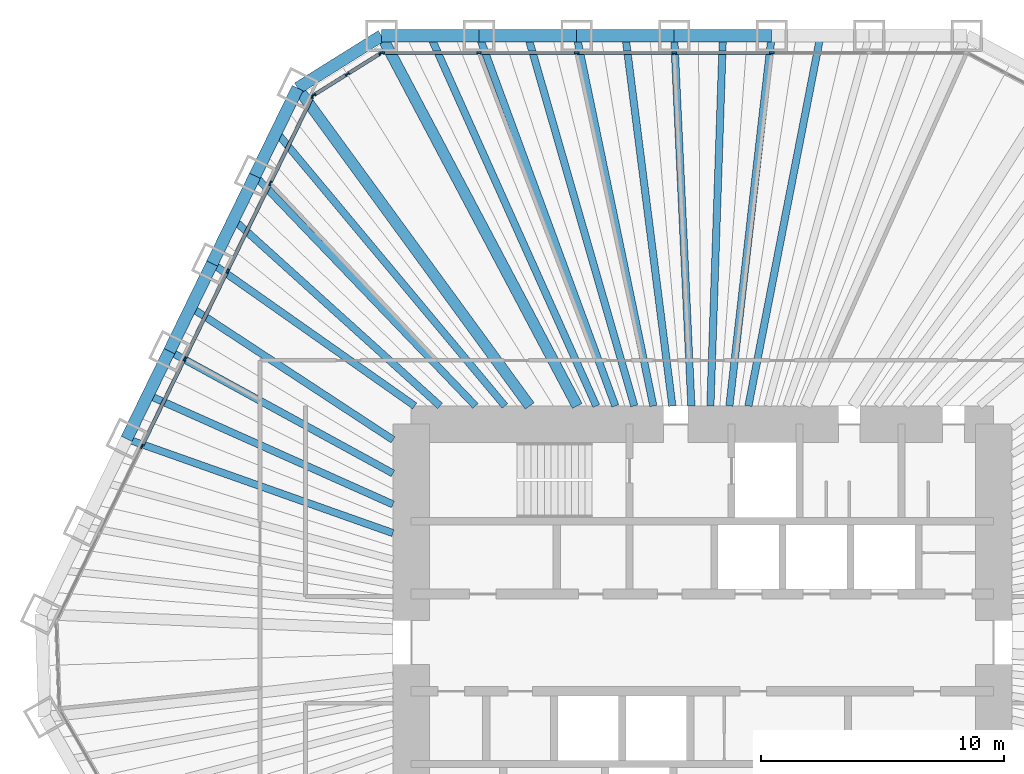
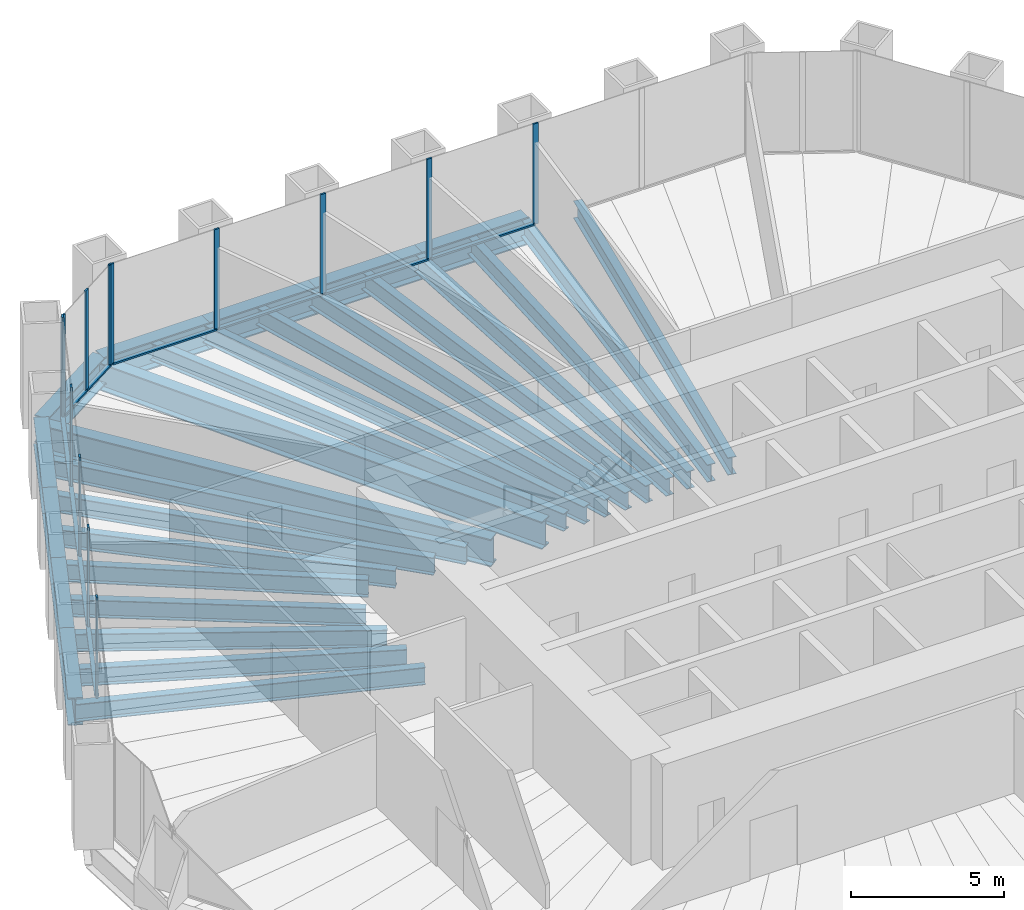
# One storey, part 6 of 13: 28 beams, 23 members, 3 elements without a shape of their own.
"""IFC4 building model written with IfcOpenShell, lengths in metres."""

from ifc_helpers import new_model, si_unit, direction, frame, origin, origin_2d, place, context, subcontext, project, spatial, rectangle, i_section, extrude, material, material_profile, profile_set, type_object, element, aggregate, save


model = new_model("IFC4")

# Units and contexts
model_context = context("Model", 3, precision=1e-05, world=origin(), true_north=direction((0.0, 1.0)))
body_context = subcontext(model_context, "Body", "Model", "MODEL_VIEW")
ifc_project = project(units=[si_unit("LENGTHUNIT", "METRE"), si_unit("AREAUNIT", "SQUARE_METRE"), si_unit("VOLUMEUNIT", "CUBIC_METRE"), si_unit("PLANEANGLEUNIT", "RADIAN"), si_unit("MASSUNIT", "GRAM", prefix="KILO")], contexts=[model_context])

# Site, building, storey
site_placement = place(None, origin())
site = spatial("IfcSite", under=ifc_project, at=site_placement, CompositionType="ELEMENT")
building_placement = place(site_placement, origin())
building = spatial("IfcBuilding", under=site, at=building_placement, Name="Qingtian Harvest Tower", CompositionType="ELEMENT")
storey_placement = place(building_placement, frame((0.0, 0.0, 136.60009765625)))
storey = spatial("IfcBuildingStorey", under=building, at=storey_placement, Name="L28", CompositionType="ELEMENT", Elevation=136.60009765625)

# Beams
ifc_material_1 = material(Name="Steel SM570MC", Category="steel")
ifc_material_profile_1 = material_profile(ifc_material_1, i_section(OverallWidth=0.449951171875, OverallDepth=1.10009765625, WebThickness=0.02197265625, FlangeThickness=0.044921875, at=origin_2d()), Name="H1100x450x22x45")
ifc_profile_set_1 = profile_set([ifc_material_profile_1], Name="Steel SM570MC")
beam_type_1 = type_object("IfcBeamType", Name="Corner floor beam FB8 H1100x450x22x45", PredefinedType="BEAM", material=ifc_profile_set_1)
beam_1_placement = place(storey_placement, frame((-13.2216796875, 25.0, -0.72021484375), z_axis=(0.46750989692, -0.88398783718, 0.0), x_axis=(0.88398783718, 0.46750989692, 0.0)))
element("IfcBeam", 1, at=beam_1_placement, inside=storey, type_object=beam_type_1, Name="Floor beam FB8 N0", PredefinedType="BEAM", context=body_context, shape_type="SweptSolid", body=[
    extrude(i_section(OverallWidth=0.449951171875, OverallDepth=1.10009765625, WebThickness=0.02197265625, FlangeThickness=0.044921875, at=origin_2d()), origin(), (0.0, 0.0, 1.0), 17.25146484375),
])
beam_2_placement = place(storey_placement, frame((-16.673828125, 22.8427734375, -0.72021484375), z_axis=(0.589577703364, -0.807711663712, 0.0), x_axis=(0.807711663712, 0.589577703364, 0.0)))
element("IfcBeam", 2, at=beam_2_placement, inside=storey, type_object=beam_type_1, Name="Floor beam FB8 NW6", PredefinedType="BEAM", context=body_context, shape_type="SweptSolid", body=[
    extrude(i_section(OverallWidth=0.449951171875, OverallDepth=1.10009765625, WebThickness=0.02197265625, FlangeThickness=0.044921875, at=origin_2d()), origin(), (0.0, 0.0, 1.0), 16.209716796875),
])
ifc_material_2 = material(Name="Steel SN490B", Category="steel")
ifc_material_profile_2 = material_profile(ifc_material_2, i_section(OverallWidth=0.300048828125, OverallDepth=0.699951171875, WebThickness=0.012939453125, FlangeThickness=0.02392578125, at=origin_2d()), Name="H700x300x13x24")
ifc_profile_set_2 = profile_set([ifc_material_profile_2], Name="Steel SN490B")
beam_type_2 = type_object("IfcBeamType", Name="Floor beam FB2 H700x300x13x24", PredefinedType="BEAM", material=ifc_profile_set_2)
beam_3_placement = place(storey_placement, frame((-9.20263671875, 25.0, -0.52001953125), z_axis=(0.345440084985, -0.938440806703, 0.0), x_axis=(0.938440806703, 0.345440084985, 0.0)))
element("IfcBeam", 3, at=beam_3_placement, inside=storey, type_object=beam_type_2, Name="Floor beam FB2 N1", PredefinedType="BEAM", context=body_context, shape_type="SweptSolid", body=[
    extrude(i_section(OverallWidth=0.300048828125, OverallDepth=0.699951171875, WebThickness=0.012939453125, FlangeThickness=0.02392578125, at=origin_2d()), origin(), (0.0, 0.0, 1.0), 16.250244140625),
])
beam_4_placement = place(storey_placement, frame((-5.18359375, 25.0, -0.52001953125), z_axis=(0.203032709566, -0.979171955709, 0.0), x_axis=(0.979171955709, 0.203032709566, 0.0)))
element("IfcBeam", 4, at=beam_4_placement, inside=storey, type_object=beam_type_2, Name="Floor beam FB2 N2", PredefinedType="BEAM", context=body_context, shape_type="SweptSolid", body=[
    extrude(i_section(OverallWidth=0.300048828125, OverallDepth=0.699951171875, WebThickness=0.012939453125, FlangeThickness=0.02392578125, at=origin_2d()), origin(), (0.0, 0.0, 1.0), 15.574462890625),
])
beam_5_placement = place(storey_placement, frame((-1.16455078125, 25.0, -0.52001953125), z_axis=(0.046536361684, -0.998916596639, 0.0), x_axis=(0.998916596639, 0.046536361684, 0.0)))
element("IfcBeam", 5, at=beam_5_placement, inside=storey, type_object=beam_type_2, Name="Floor beam FB2 N3", PredefinedType="BEAM", context=body_context, shape_type="SweptSolid", body=[
    extrude(i_section(OverallWidth=0.300048828125, OverallDepth=0.699951171875, WebThickness=0.012939453125, FlangeThickness=0.02392578125, at=origin_2d()), origin(), (0.0, 0.0, 1.0), 15.2666015625),
])
beam_6_placement = place(storey_placement, frame((2.8544921875, 25.0, -0.52001953125), z_axis=(-0.113440722222, -0.993544766249, 0.0), x_axis=(0.993544766249, -0.113440722222, 0.0)))
element("IfcBeam", 6, at=beam_6_placement, inside=storey, type_object=beam_type_2, Name="Floor beam FB2 N4", PredefinedType="BEAM", context=body_context, shape_type="SweptSolid", body=[
    extrude(i_section(OverallWidth=0.300048828125, OverallDepth=0.699951171875, WebThickness=0.012939453125, FlangeThickness=0.02392578125, at=origin_2d()), origin(), (0.0, 0.0, 1.0), 15.34912109375),
])
beam_7_placement = place(storey_placement, frame((-23.72119140625, 8.3935546875, -0.52001953125), z_axis=(0.942723186419, -0.333576068967, 0.0), x_axis=(0.333576068967, 0.942723186419, 0.0)))
element("IfcBeam", 7, at=beam_7_placement, inside=storey, type_object=beam_type_2, Name="Floor beam FB2 NW2", PredefinedType="BEAM", context=body_context, shape_type="SweptSolid", body=[
    extrude(i_section(OverallWidth=0.300048828125, OverallDepth=0.699951171875, WebThickness=0.012939453125, FlangeThickness=0.02392578125, at=origin_2d()), origin(), (0.0, 0.0, 1.0), 11.6376953125),
])
beam_8_placement = place(storey_placement, frame((-21.95947265625, 12.005859375, -0.52001953125), z_axis=(0.877432026785, -0.479700988505, 0.0), x_axis=(0.479700988505, 0.877432026785, 0.0)))
element("IfcBeam", 8, at=beam_8_placement, inside=storey, type_object=beam_type_2, Name="Floor beam FB2 NW3", PredefinedType="BEAM", context=body_context, shape_type="SweptSolid", body=[
    extrude(i_section(OverallWidth=0.300048828125, OverallDepth=0.699951171875, WebThickness=0.012939453125, FlangeThickness=0.02392578125, at=origin_2d()), origin(), (0.0, 0.0, 1.0), 10.495849609375),
])
beam_9_placement = place(storey_placement, frame((-20.197509765625, 15.6181640625, -0.52001953125), z_axis=(0.818080343043, -0.57510394915, 0.0), x_axis=(0.57510394915, 0.818080343043, 0.0)))
element("IfcBeam", 9, at=beam_9_placement, inside=storey, type_object=beam_type_2, Name="Floor beam FB2 NW4", PredefinedType="BEAM", context=body_context, shape_type="SweptSolid", body=[
    extrude(i_section(OverallWidth=0.300048828125, OverallDepth=0.699951171875, WebThickness=0.012939453125, FlangeThickness=0.02392578125, at=origin_2d()), origin(), (0.0, 0.0, 1.0), 10.20361328125),
])
beam_10_placement = place(storey_placement, frame((-18.435791015625, 19.23046875, -0.52001953125), z_axis=(0.69204101057, -0.721858185303, 0.0), x_axis=(0.721858185303, 0.69204101057, 0.0)))
element("IfcBeam", 10, at=beam_10_placement, inside=storey, type_object=beam_type_2, Name="Floor beam FB2 NW5", PredefinedType="BEAM", context=body_context, shape_type="SweptSolid", body=[
    extrude(i_section(OverallWidth=0.300048828125, OverallDepth=0.699951171875, WebThickness=0.012939453125, FlangeThickness=0.02392578125, at=origin_2d()), origin(), (0.0, 0.0, 1.0), 13.13330078125),
])
ifc_material_3 = material(Name="Steel SN490B", Category="steel")
ifc_material_profile_3 = material_profile(ifc_material_3, i_section(OverallWidth=0.300048828125, OverallDepth=0.699951171875, WebThickness=0.012939453125, FlangeThickness=0.02392578125, at=origin_2d()), Name="H700x300x13x24")
ifc_profile_set_3 = profile_set([ifc_material_profile_3], Name="Steel SN490B")
beam_type_3 = type_object("IfcBeamType", Name="Floor joist J2 H700x300x13x24", PredefinedType="JOIST", material=ifc_profile_set_3)
beam_11_placement = place(storey_placement, frame((-11.212158203125, 25.0, -0.52001953125), z_axis=(0.409212761683, -0.912438992852, 0.0), x_axis=(0.912438992852, 0.409212761683, 0.0)))
element("IfcBeam", 11, at=beam_11_placement, inside=storey, type_object=beam_type_3, Name="Floor joist J2 N0", PredefinedType="JOIST", context=body_context, shape_type="SweptSolid", body=[
    extrude(i_section(OverallWidth=0.300048828125, OverallDepth=0.699951171875, WebThickness=0.012939453125, FlangeThickness=0.02392578125, at=origin_2d()), origin(), (0.0, 0.0, 1.0), 16.71337890625),
])
beam_12_placement = place(storey_placement, frame((-7.193115234375, 25.0, -0.52001953125), z_axis=(0.276500682027, -0.961013721462, 0.0), x_axis=(0.961013721462, 0.276500682027, 0.0)))
element("IfcBeam", 12, at=beam_12_placement, inside=storey, type_object=beam_type_3, Name="Floor joist J2 N1", PredefinedType="JOIST", context=body_context, shape_type="SweptSolid", body=[
    extrude(i_section(OverallWidth=0.300048828125, OverallDepth=0.699951171875, WebThickness=0.012939453125, FlangeThickness=0.02392578125, at=origin_2d()), origin(), (0.0, 0.0, 1.0), 15.86865234375),
])
beam_13_placement = place(storey_placement, frame((-3.174072265625, 25.0, -0.52001953125), z_axis=(0.125957899702, -0.992035587821, 0.0), x_axis=(0.992035587821, 0.125957899702, 0.0)))
element("IfcBeam", 13, at=beam_13_placement, inside=storey, type_object=beam_type_3, Name="Floor joist J2 N2", PredefinedType="JOIST", context=body_context, shape_type="SweptSolid", body=[
    extrude(i_section(OverallWidth=0.300048828125, OverallDepth=0.699951171875, WebThickness=0.012939453125, FlangeThickness=0.02392578125, at=origin_2d()), origin(), (0.0, 0.0, 1.0), 15.372314453125),
])
beam_14_placement = place(storey_placement, frame((0.844970703125, 25.0, -0.52001953125), z_axis=(-0.033776183237, -0.999429421943, 0.0), x_axis=(0.999429421943, -0.033776183237, 0.0)))
element("IfcBeam", 14, at=beam_14_placement, inside=storey, type_object=beam_type_3, Name="Floor joist J2 N3", PredefinedType="JOIST", context=body_context, shape_type="SweptSolid", body=[
    extrude(i_section(OverallWidth=0.300048828125, OverallDepth=0.699951171875, WebThickness=0.012939453125, FlangeThickness=0.02392578125, at=origin_2d()), origin(), (0.0, 0.0, 1.0), 15.2587890625),
])
beam_15_placement = place(storey_placement, frame((4.864013671875, 25.0, -0.52001953125), z_axis=(-0.190979017217, -0.981594119269, 0.0), x_axis=(0.981594119269, -0.190979017217, 0.0)))
element("IfcBeam", 15, at=beam_15_placement, inside=storey, type_object=beam_type_3, Name="Floor joist J2 N4", PredefinedType="JOIST", context=body_context, shape_type="SweptSolid", body=[
    extrude(i_section(OverallWidth=0.300048828125, OverallDepth=0.699951171875, WebThickness=0.012939453125, FlangeThickness=0.02392578125, at=origin_2d()), origin(), (0.0, 0.0, 1.0), 15.535888671875),
])
beam_16_placement = place(storey_placement, frame((-22.84033203125, 10.19970703125, -0.52001953125), z_axis=(0.913095877166, -0.407744919162, 0.0), x_axis=(0.407744919162, 0.913095877166, 0.0)))
element("IfcBeam", 16, at=beam_16_placement, inside=storey, type_object=beam_type_3, Name="Floor joist J2 NW2", PredefinedType="JOIST", context=body_context, shape_type="SweptSolid", body=[
    extrude(i_section(OverallWidth=0.300048828125, OverallDepth=0.699951171875, WebThickness=0.012939453125, FlangeThickness=0.02392578125, at=origin_2d()), origin(), (0.0, 0.0, 1.0), 11.05078125),
])
beam_17_placement = place(storey_placement, frame((-21.078369140625, 13.81201171875, -0.52001953125), z_axis=(0.836426246046, -0.548079496903, 0.0), x_axis=(0.548079496903, 0.836426246046, 0.0)))
element("IfcBeam", 17, at=beam_17_placement, inside=storey, type_object=beam_type_3, Name="Floor joist J2 NW3", PredefinedType="JOIST", context=body_context, shape_type="SweptSolid", body=[
    extrude(i_section(OverallWidth=0.300048828125, OverallDepth=0.699951171875, WebThickness=0.012939453125, FlangeThickness=0.02392578125, at=origin_2d()), origin(), (0.0, 0.0, 1.0), 9.95703125),
])
beam_18_placement = place(storey_placement, frame((-19.316650390625, 17.42431640625, -0.52001953125), z_axis=(0.742543540775, -0.669797797886, 0.0), x_axis=(0.669797797886, 0.742543540775, 0.0)))
element("IfcBeam", 18, at=beam_18_placement, inside=storey, type_object=beam_type_3, Name="Floor joist J2 NW4", PredefinedType="JOIST", context=body_context, shape_type="SweptSolid", body=[
    extrude(i_section(OverallWidth=0.300048828125, OverallDepth=0.699951171875, WebThickness=0.012939453125, FlangeThickness=0.02392578125, at=origin_2d()), origin(), (0.0, 0.0, 1.0), 11.457763671875),
])
beam_19_placement = place(storey_placement, frame((-17.5546875, 21.03662109375, -0.52001953125), z_axis=(0.640703730007, -0.767788206704, 0.0), x_axis=(0.767788206704, 0.640703730007, 0.0)))
element("IfcBeam", 19, at=beam_19_placement, inside=storey, type_object=beam_type_3, Name="Floor joist J2 NW5", PredefinedType="JOIST", context=body_context, shape_type="SweptSolid", body=[
    extrude(i_section(OverallWidth=0.300048828125, OverallDepth=0.699951171875, WebThickness=0.012939453125, FlangeThickness=0.02392578125, at=origin_2d()), origin(), (0.0, 0.0, 1.0), 14.7001953125),
])

# Curtain wall, members
ifc_material_4 = material(Name="Bronze-anodised aluminium curtain wall", Category="aluminium")
curtain_wall_type = type_object("IfcCurtainWallType", Name="Curtain wall CW4 office", PredefinedType="USERDEFINED", material=ifc_material_4)
curtain_wall_1_placement = place(storey_placement, origin())
curtain_wall_1 = element("IfcCurtainWall", 20, at=curtain_wall_1_placement, inside=storey, type_object=curtain_wall_type, Name="Curtain wall CW4 L28 N0-5", ObjectType="RECESSED CURTAIN WALL", PredefinedType="USERDEFINED")
ifc_material_5 = material(Name="Bronze-anodised aluminium mullion", Category="aluminium")
ifc_material_profile_4 = material_profile(ifc_material_5, rectangle(XDim=0.06494140625, YDim=0.199951171875, at=origin_2d()), Name="AL 65x200")
ifc_profile_set_4 = profile_set([ifc_material_profile_4], Name="Bronze-anodised aluminium mullion")
member_type_1 = type_object("IfcMemberType", Name="Mullion CWM 65x200", PredefinedType="MULLION", material=ifc_profile_set_4)
member_1_placement = place(storey_placement, frame((-13.189208984375, 24.300048828125, 0.0), z_axis=(0.0, 0.0, 1.0), x_axis=(0.0, 1.0, 0.0)))
member_1 = element("IfcMember", 21, at=member_1_placement, type_object=member_type_1, Name="CW4 mullion 1", PredefinedType="MULLION", context=body_context, shape_type="SweptSolid", body=[
    extrude(rectangle(XDim=0.06494140625, YDim=0.199951171875, at=origin_2d()), origin(), (0.0, 0.0, 1.0), 4.02978515625),
])
member_2_placement = place(storey_placement, frame((-9.20263671875, 24.300048828125, 0.0), z_axis=(0.0, 0.0, 1.0), x_axis=(0.0, 1.0, 0.0)))
member_2 = element("IfcMember", 22, at=member_2_placement, type_object=member_type_1, Name="CW4 mullion 2", PredefinedType="MULLION", context=body_context, shape_type="SweptSolid", body=[
    extrude(rectangle(XDim=0.06494140625, YDim=0.199951171875, at=origin_2d()), origin(), (0.0, 0.0, 1.0), 4.02978515625),
])
member_3_placement = place(storey_placement, frame((-5.18359375, 24.300048828125, 0.0), z_axis=(0.0, 0.0, 1.0), x_axis=(0.0, 1.0, 0.0)))
member_3 = element("IfcMember", 23, at=member_3_placement, type_object=member_type_1, Name="CW4 mullion 3", PredefinedType="MULLION", context=body_context, shape_type="SweptSolid", body=[
    extrude(rectangle(XDim=0.06494140625, YDim=0.199951171875, at=origin_2d()), origin(), (0.0, 0.0, 1.0), 4.02978515625),
])
member_4_placement = place(storey_placement, frame((-1.16455078125, 24.300048828125, 0.0), z_axis=(0.0, 0.0, 1.0), x_axis=(0.0, 1.0, 0.0)))
member_4 = element("IfcMember", 24, at=member_4_placement, type_object=member_type_1, Name="CW4 mullion 4", PredefinedType="MULLION", context=body_context, shape_type="SweptSolid", body=[
    extrude(rectangle(XDim=0.06494140625, YDim=0.199951171875, at=origin_2d()), origin(), (0.0, 0.0, 1.0), 4.02978515625),
])
member_5_placement = place(storey_placement, frame((2.8544921875, 24.300048828125, 0.0), z_axis=(0.0, 0.0, 1.0), x_axis=(0.0, 1.0, 0.0)))
member_5 = element("IfcMember", 25, at=member_5_placement, type_object=member_type_1, Name="CW4 mullion 5", PredefinedType="MULLION", context=body_context, shape_type="SweptSolid", body=[
    extrude(rectangle(XDim=0.06494140625, YDim=0.199951171875, at=origin_2d()), origin(), (0.0, 0.0, 1.0), 4.02978515625),
])

curtain_wall_2_placement = place(storey_placement, origin())
curtain_wall_2 = element("IfcCurtainWall", 26, at=curtain_wall_2_placement, inside=storey, type_object=curtain_wall_type, Name="Curtain wall CW4 L28 NW0-5", ObjectType="RECESSED CURTAIN WALL", PredefinedType="USERDEFINED")
member_6_placement = place(storey_placement, frame((-23.092041015625, 8.086669921875, 0.0), z_axis=(0.0, 0.0, 1.0), x_axis=(-0.898794046299, 0.438371146789, 0.0)))
member_6 = element("IfcMember", 27, at=member_6_placement, type_object=member_type_1, Name="CW4 mullion 3", PredefinedType="MULLION", context=body_context, shape_type="SweptSolid", body=[
    extrude(rectangle(XDim=0.06494140625, YDim=0.199951171875, at=origin_2d()), origin(), (0.0, 0.0, 1.0), 4.02978515625),
])
member_7_placement = place(storey_placement, frame((-21.330322265625, 11.698974609375, 0.0), z_axis=(0.0, 0.0, 1.0), x_axis=(-0.898794046299, 0.438371146789, 0.0)))
member_7 = element("IfcMember", 28, at=member_7_placement, type_object=member_type_1, Name="CW4 mullion 4", PredefinedType="MULLION", context=body_context, shape_type="SweptSolid", body=[
    extrude(rectangle(XDim=0.06494140625, YDim=0.199951171875, at=origin_2d()), origin(), (0.0, 0.0, 1.0), 4.02978515625),
])
member_8_placement = place(storey_placement, frame((-19.568359375, 15.311279296875, 0.0), z_axis=(0.0, 0.0, 1.0), x_axis=(-0.898794046299, 0.438371146789, 0.0)))
member_8 = element("IfcMember", 29, at=member_8_placement, type_object=member_type_1, Name="CW4 mullion 5", PredefinedType="MULLION", context=body_context, shape_type="SweptSolid", body=[
    extrude(rectangle(XDim=0.06494140625, YDim=0.199951171875, at=origin_2d()), origin(), (0.0, 0.0, 1.0), 4.02978515625),
])
member_9_placement = place(storey_placement, frame((-17.806396484375, 18.923828125, 0.0), z_axis=(0.0, 0.0, 1.0), x_axis=(-0.898794046299, 0.438371146789, 0.0)))
member_9 = element("IfcMember", 30, at=member_9_placement, type_object=member_type_1, Name="CW4 mullion 6", PredefinedType="MULLION", context=body_context, shape_type="SweptSolid", body=[
    extrude(rectangle(XDim=0.06494140625, YDim=0.199951171875, at=origin_2d()), origin(), (0.0, 0.0, 1.0), 4.02978515625),
])
member_10_placement = place(storey_placement, frame((-16.058837890625, 22.5068359375, 0.0), z_axis=(0.0, 0.0, 1.0), x_axis=(-0.898794046299, 0.438371146789, 0.0)))
member_10 = element("IfcMember", 31, at=member_10_placement, type_object=member_type_1, Name="CW4 mullion 7", PredefinedType="MULLION", context=body_context, shape_type="SweptSolid", body=[
    extrude(rectangle(XDim=0.06494140625, YDim=0.199951171875, at=origin_2d()), origin(), (0.0, 0.0, 1.0), 4.02978515625),
])

curtain_wall_3_placement = place(storey_placement, origin())
curtain_wall_3 = element("IfcCurtainWall", 32, at=curtain_wall_3_placement, inside=storey, type_object=curtain_wall_type, Name="Curtain wall CW4 L28 NWC", ObjectType="RECESSED CURTAIN WALL", PredefinedType="USERDEFINED")
member_11_placement = place(storey_placement, frame((-16.01708984375, 22.55322265625, 0.0), z_axis=(0.0, 0.0, 1.0), x_axis=(-0.529919264233, 0.848048096156, 0.0)))
member_11 = element("IfcMember", 33, at=member_11_placement, type_object=member_type_1, Name="CW4 mullion 1", PredefinedType="MULLION", context=body_context, shape_type="SweptSolid", body=[
    extrude(rectangle(XDim=0.06494140625, YDim=0.199951171875, at=origin_2d()), origin(), (0.0, 0.0, 1.0), 4.02978515625),
])
member_12_placement = place(storey_placement, frame((-14.63330078125, 23.41796875, 0.0), z_axis=(0.0, 0.0, 1.0), x_axis=(-0.529919264233, 0.848048096156, 0.0)))
member_12 = element("IfcMember", 34, at=member_12_placement, type_object=member_type_1, Name="CW4 mullion 2", PredefinedType="MULLION", context=body_context, shape_type="SweptSolid", body=[
    extrude(rectangle(XDim=0.06494140625, YDim=0.199951171875, at=origin_2d()), origin(), (0.0, 0.0, 1.0), 4.02978515625),
])
member_13_placement = place(storey_placement, frame((-13.249267578125, 24.28271484375, 0.0), z_axis=(0.0, 0.0, 1.0), x_axis=(-0.529919264233, 0.848048096156, 0.0)))
member_13 = element("IfcMember", 35, at=member_13_placement, type_object=member_type_1, Name="CW4 mullion 3", PredefinedType="MULLION", context=body_context, shape_type="SweptSolid", body=[
    extrude(rectangle(XDim=0.06494140625, YDim=0.199951171875, at=origin_2d()), origin(), (0.0, 0.0, 1.0), 4.02978515625),
])

# Beams
ifc_material_6 = material(Name="Steel SM570MC", Category="steel")
ifc_material_profile_5 = material_profile(ifc_material_6, i_section(OverallWidth=0.5, OverallDepth=1.10009765625, WebThickness=0.02490234375, FlangeThickness=0.050048828125, at=origin_2d()), Name="H1100x500x25x50")
ifc_profile_set_5 = profile_set([ifc_material_profile_5], Name="Steel SM570MC")
beam_type_4 = type_object("IfcBeamType", Name="Spandrel beam SB2 H1100x500x25x50", PredefinedType="SPANDREL", material=ifc_profile_set_5)
for number, where, z_axis, x_axis, name in (
    (36, (-13.2216796875, 25.0, -0.550048828125), (1.0, 0.0, 0.0), (0.0, 1.0, 0.0), "Spandrel SB2 N0"),
    (37, (-9.20263671875, 25.0, -0.550048828125), (1.0, 0.0, 0.0), (0.0, 1.0, 0.0), "Spandrel SB2 N1"),
    (38, (-5.18359375, 25.0, -0.550048828125), (1.0, 0.0, 0.0), (0.0, 1.0, 0.0), "Spandrel SB2 N2"),
    (39, (-1.16455078125, 25.0, -0.550048828125), (1.0, 0.0, 0.0), (0.0, 1.0, 0.0), "Spandrel SB2 N3"),
    (40, (-23.72119140625, 8.3935546875, -0.550048828125), (0.438347033158, 0.898805806902, 0.0), (-0.898805806902, 0.438347033158, 0.0), "Spandrel SB2 NW2"),
    (41, (-21.95947265625, 12.005859375, -0.550048828125), (0.438396105405, 0.89878187274, 0.0), (-0.89878187274, 0.438396105405, 0.0), "Spandrel SB2 NW3"),
    (42, (-20.197509765625, 15.6181640625, -0.550048828125), (0.438347033158, 0.898805806902, 0.0), (-0.898805806902, 0.438347033158, 0.0), "Spandrel SB2 NW4"),
    (43, (-18.435791015625, 19.23046875, -0.550048828125), (0.438396105405, 0.89878187274, 0.0), (-0.89878187274, 0.438396105405, 0.0), "Spandrel SB2 NW5"),
):
    element("IfcBeam", number, at=place(storey_placement, frame(where, z_axis=z_axis, x_axis=x_axis)), inside=storey, type_object=beam_type_4, Name=name, PredefinedType="SPANDREL", context=body_context, shape_type="SweptSolid", body=[
        extrude(i_section(OverallWidth=0.5, OverallDepth=1.10009765625, WebThickness=0.02490234375, FlangeThickness=0.050048828125, at=origin_2d()), origin(), (0.0, 0.0, 1.0), 4.01904296875),
    ])
beam_20_placement = place(storey_placement, frame((-16.673828125, 22.8427734375, -0.550048828125), z_axis=(0.848038733752, 0.529934246919, 0.0), x_axis=(-0.529934246919, 0.848038733752, 0.0)))
element("IfcBeam", 44, at=beam_20_placement, inside=storey, type_object=beam_type_4, Name="Spandrel SB2 NWC", PredefinedType="SPANDREL", context=body_context, shape_type="SweptSolid", body=[
    extrude(i_section(OverallWidth=0.5, OverallDepth=1.10009765625, WebThickness=0.02490234375, FlangeThickness=0.050048828125, at=origin_2d()), origin(), (0.0, 0.0, 1.0), 4.07080078125),
])

# Member
ifc_material_7 = material(Name="Bronze-anodised aluminium transom", Category="aluminium")
ifc_material_profile_6 = material_profile(ifc_material_7, rectangle(XDim=0.14990234375, YDim=0.06494140625, at=origin_2d()), Name="AL 65x150")
ifc_profile_set_6 = profile_set([ifc_material_profile_6], Name="Bronze-anodised aluminium transom")
member_type_2 = type_object("IfcMemberType", Name="Transom CWT 65x150", PredefinedType="USERDEFINED", material=ifc_profile_set_6)
member_14_placement = place(storey_placement, frame((-13.15673828125, 24.300048828125, 0.032470703125), z_axis=(1.0, 0.0, 0.0), x_axis=(0.0, 1.0, 0.0)))
member_14 = element("IfcMember", 45, at=member_14_placement, type_object=member_type_2, Name="CW4 transom 1.1", ObjectType="TRANSOM", PredefinedType="USERDEFINED", context=body_context, shape_type="SweptSolid", body=[
    extrude(rectangle(XDim=0.14990234375, YDim=0.06494140625, at=origin_2d()), origin(), (0.0, 0.0, 1.0), 3.921630859375),
])

member_15_placement = place(storey_placement, frame((-9.170166015625, 24.300048828125, 0.032470703125), z_axis=(1.0, 0.0, 0.0), x_axis=(0.0, 1.0, 0.0)))
member_15 = element("IfcMember", 46, at=member_15_placement, type_object=member_type_2, Name="CW4 transom 2.1", ObjectType="TRANSOM", PredefinedType="USERDEFINED", context=body_context, shape_type="SweptSolid", body=[
    extrude(rectangle(XDim=0.14990234375, YDim=0.06494140625, at=origin_2d()), origin(), (0.0, 0.0, 1.0), 3.9541015625),
])

member_16_placement = place(storey_placement, frame((-5.151123046875, 24.300048828125, 0.032470703125), z_axis=(1.0, 0.0, 0.0), x_axis=(0.0, 1.0, 0.0)))
member_16 = element("IfcMember", 47, at=member_16_placement, type_object=member_type_2, Name="CW4 transom 3.1", ObjectType="TRANSOM", PredefinedType="USERDEFINED", context=body_context, shape_type="SweptSolid", body=[
    extrude(rectangle(XDim=0.14990234375, YDim=0.06494140625, at=origin_2d()), origin(), (0.0, 0.0, 1.0), 3.9541015625),
])

member_17_placement = place(storey_placement, frame((-1.132080078125, 24.300048828125, 0.032470703125), z_axis=(1.0, 0.0, 0.0), x_axis=(0.0, 1.0, 0.0)))
member_17 = element("IfcMember", 48, at=member_17_placement, type_object=member_type_2, Name="CW4 transom 4.1", ObjectType="TRANSOM", PredefinedType="USERDEFINED", context=body_context, shape_type="SweptSolid", body=[
    extrude(rectangle(XDim=0.14990234375, YDim=0.06494140625, at=origin_2d()), origin(), (0.0, 0.0, 1.0), 3.9541015625),
])

aggregate(curtain_wall_1, [member_1, member_2, member_3, member_4, member_5, member_14, member_15, member_16, member_17])

member_18_placement = place(storey_placement, frame((-23.077880859375, 8.115966796875, 0.032470703125), z_axis=(0.438374972828, 0.898792180205, 0.0), x_axis=(-0.898792180205, 0.438374972828, 0.0)))
member_18 = element("IfcMember", 49, at=member_18_placement, type_object=member_type_2, Name="CW4 transom 3.1", ObjectType="TRANSOM", PredefinedType="USERDEFINED", context=body_context, shape_type="SweptSolid", body=[
    extrude(rectangle(XDim=0.14990234375, YDim=0.06494140625, at=origin_2d()), origin(), (0.0, 0.0, 1.0), 3.9541015625),
])

member_19_placement = place(storey_placement, frame((-21.31591796875, 11.728271484375, 0.032470703125), z_axis=(0.438374972828, 0.898792180205, 0.0), x_axis=(-0.898792180205, 0.438374972828, 0.0)))
member_19 = element("IfcMember", 50, at=member_19_placement, type_object=member_type_2, Name="CW4 transom 4.1", ObjectType="TRANSOM", PredefinedType="USERDEFINED", context=body_context, shape_type="SweptSolid", body=[
    extrude(rectangle(XDim=0.14990234375, YDim=0.06494140625, at=origin_2d()), origin(), (0.0, 0.0, 1.0), 3.9541015625),
])

member_20_placement = place(storey_placement, frame((-19.55419921875, 15.340576171875, 0.032470703125), z_axis=(0.438374972828, 0.898792180205, 0.0), x_axis=(-0.898792180205, 0.438374972828, 0.0)))
member_20 = element("IfcMember", 51, at=member_20_placement, type_object=member_type_2, Name="CW4 transom 5.1", ObjectType="TRANSOM", PredefinedType="USERDEFINED", context=body_context, shape_type="SweptSolid", body=[
    extrude(rectangle(XDim=0.14990234375, YDim=0.06494140625, at=origin_2d()), origin(), (0.0, 0.0, 1.0), 3.9541015625),
])

member_21_placement = place(storey_placement, frame((-17.792236328125, 18.952880859375, 0.032470703125), z_axis=(0.438351261745, 0.898803744611, 0.0), x_axis=(-0.898803744611, 0.438351261745, 0.0)))
member_21 = element("IfcMember", 52, at=member_21_placement, type_object=member_type_2, Name="CW4 transom 6.1", ObjectType="TRANSOM", PredefinedType="USERDEFINED", context=body_context, shape_type="SweptSolid", body=[
    extrude(rectangle(XDim=0.14990234375, YDim=0.06494140625, at=origin_2d()), origin(), (0.0, 0.0, 1.0), 3.92138671875),
])

aggregate(curtain_wall_2, [member_6, member_7, member_8, member_9, member_10, member_18, member_19, member_20, member_21])

member_22_placement = place(storey_placement, frame((-15.989501953125, 22.570556640625, 0.032470703125), z_axis=(0.848059570903, 0.529900900357, 0.0), x_axis=(-0.529900900357, 0.848059570903, 0.0)))
member_22 = element("IfcMember", 53, at=member_22_placement, type_object=member_type_2, Name="CW4 transom 1.1", ObjectType="TRANSOM", PredefinedType="USERDEFINED", context=body_context, shape_type="SweptSolid", body=[
    extrude(rectangle(XDim=0.14990234375, YDim=0.06494140625, at=origin_2d()), origin(), (0.0, 0.0, 1.0), 1.56689453125),
])

member_23_placement = place(storey_placement, frame((-14.605712890625, 23.435302734375, 0.032470703125), z_axis=(0.848059570903, 0.529900900357, 0.0), x_axis=(-0.529900900357, 0.848059570903, 0.0)))
member_23 = element("IfcMember", 54, at=member_23_placement, type_object=member_type_2, Name="CW4 transom 2.1", ObjectType="TRANSOM", PredefinedType="USERDEFINED", context=body_context, shape_type="SweptSolid", body=[
    extrude(rectangle(XDim=0.14990234375, YDim=0.06494140625, at=origin_2d()), origin(), (0.0, 0.0, 1.0), 1.56689453125),
])

aggregate(curtain_wall_3, [member_11, member_12, member_13, member_22, member_23])

save(model, "model.ifc")
